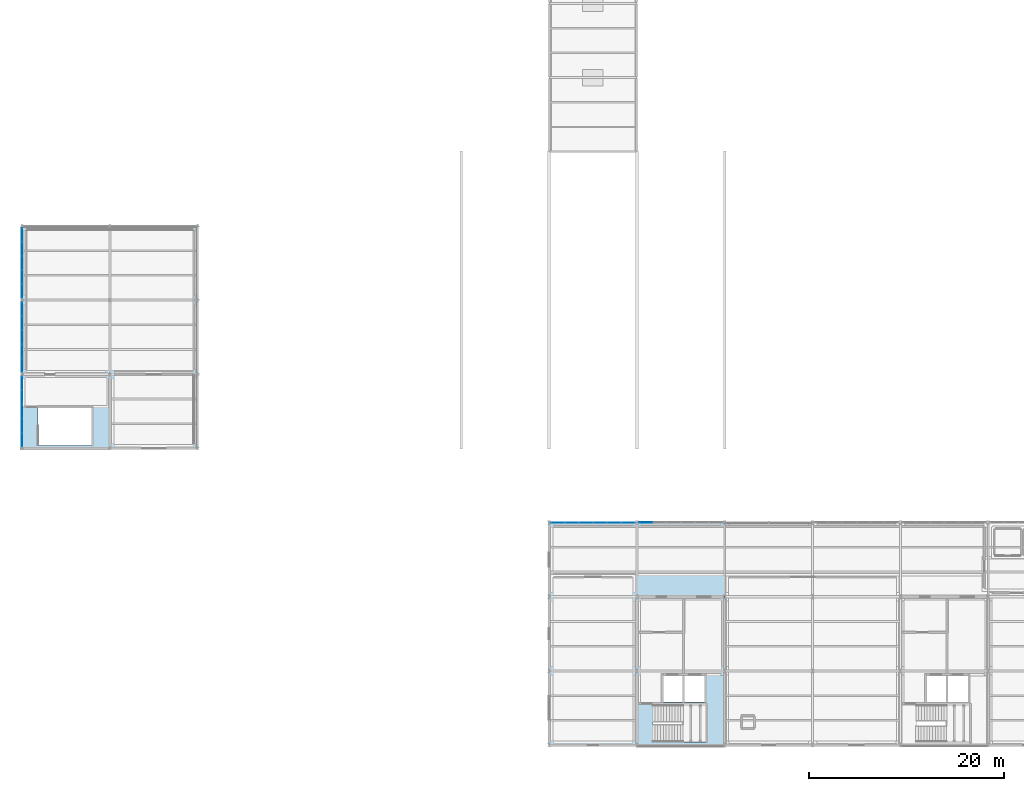
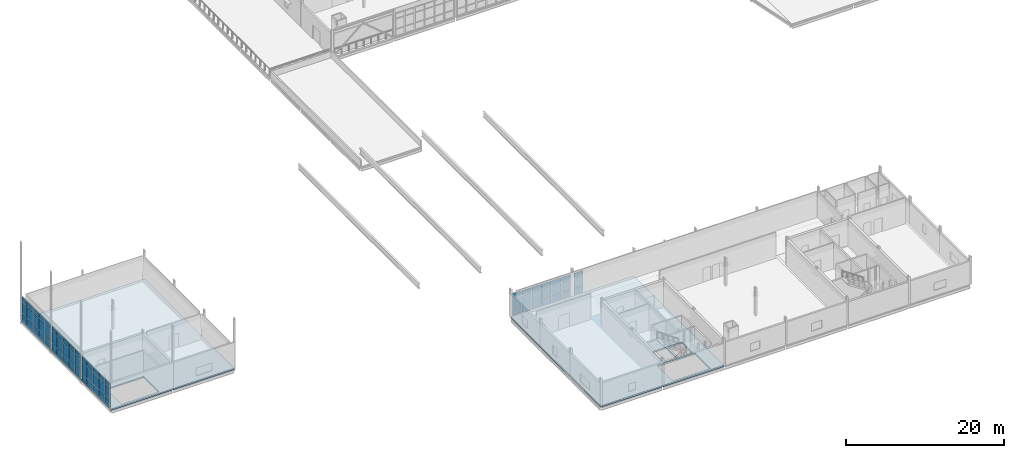
# One storey, part 68 of 96: 66 plates, 2 slabs, 5 elements without a shape of their own.
"""IFC4 building model written with IfcOpenShell, lengths in metres."""

from ifc_helpers import new_model, si_unit, direction, frame, origin, origin_2d, place, context, subcontext, project, spatial, polyline, rectangle, outline, extrude, material, layer, layer_set, type_object, element, aggregate, save


model = new_model("IFC4")

# Units and contexts
model_context = context("Model", 3, precision=1e-05, world=origin(), true_north=direction((0.0, 1.0)))
body_context = subcontext(model_context, "Body", "Model", "MODEL_VIEW")
ifc_project = project(units=[si_unit("LENGTHUNIT", "METRE"), si_unit("AREAUNIT", "SQUARE_METRE"), si_unit("VOLUMEUNIT", "CUBIC_METRE"), si_unit("PLANEANGLEUNIT", "RADIAN"), si_unit("MASSUNIT", "GRAM", prefix="KILO")], contexts=[model_context])

# Site, building, storey
site_placement = place(None, origin())
site = spatial("IfcSite", under=ifc_project, at=site_placement, CompositionType="ELEMENT")
building_placement = place(site_placement, origin())
building = spatial("IfcBuilding", under=site, at=building_placement, Name="Caisbarro Railhouse Central Library", CompositionType="ELEMENT")
storey_placement = place(building_placement, frame((0.0, 0.0, 13.679931640625)))
storey = spatial("IfcBuildingStorey", under=building, at=storey_placement, Name="L03", CompositionType="ELEMENT", Elevation=13.679931640625)

# Curtain wall, plates
ifc_material_1 = material(Name="Anodised architectural aluminium", Category="aluminium")
curtain_wall_type = type_object("IfcCurtainWallType", Name="CW-CW02", PredefinedType="NOTDEFINED", material=ifc_material_1)
curtain_wall_1_placement = place(storey_placement, origin())
curtain_wall_1 = element("IfcCurtainWall", 1, at=curtain_wall_1_placement, inside=storey, type_object=curtain_wall_type, Name="CW02 curtain wall L03 #62", PredefinedType="NOTDEFINED")
ifc_material_2 = material(Name="Double low-e laminated solar-control glass", Category="glass")
ifc_layer_1 = layer(ifc_material_2, 0.01806640625, Name="Double low-e laminated solar-control glass")
ifc_layer_set_1 = layer_set([ifc_layer_1], Name="Double low-e laminated solar-control glass")
plate_type_1 = type_object("IfcPlateType", Name="CWP-CP18", PredefinedType="CURTAIN_PANEL", material=ifc_layer_set_1)
plate_1_placement = place(storey_placement, frame((54.902099609375, 22.800048828125, 0.0751953125), z_axis=(0.0, 0.0, 1.0), x_axis=(1.0, 0.0, 0.0)))
plate_1 = element("IfcPlate", 2, at=plate_1_placement, type_object=plate_type_1, Name="CW02 panel 1.1", PredefinedType="CURTAIN_PANEL", context=body_context, shape_type="SweptSolid", body=[
    extrude(rectangle(XDim=1.334228515625, YDim=0.01806640625, at=origin_2d()), origin(), (0.0, 0.0, 1.0), 1.007568359375),
])
plate_2_placement = place(storey_placement, frame((54.902099609375, 22.800048828125, 1.15771484375), z_axis=(0.0, 0.0, 1.0), x_axis=(1.0, 0.0, 0.0)))
plate_2 = element("IfcPlate", 3, at=plate_2_placement, type_object=plate_type_1, Name="CW02 panel 1.2", PredefinedType="CURTAIN_PANEL", context=body_context, shape_type="SweptSolid", body=[
    extrude(rectangle(XDim=1.334228515625, YDim=0.01806640625, at=origin_2d()), origin(), (0.0, 0.0, 1.0), 1.465087890625),
])
plate_3_placement = place(storey_placement, frame((54.902099609375, 22.800048828125, 2.69775390625), z_axis=(0.0, 0.0, 1.0), x_axis=(1.0, 0.0, 0.0)))
plate_3 = element("IfcPlate", 4, at=plate_3_placement, type_object=plate_type_1, Name="CW02 panel 1.3", PredefinedType="CURTAIN_PANEL", context=body_context, shape_type="SweptSolid", body=[
    extrude(rectangle(XDim=1.334228515625, YDim=0.01806640625, at=origin_2d()), origin(), (0.0, 0.0, 1.0), 0.737548828125),
])
plate_4_placement = place(storey_placement, frame((56.330078125, 22.800048828125, 0.0751953125), z_axis=(0.0, 0.0, 1.0), x_axis=(1.0, 0.0, 0.0)))
plate_4 = element("IfcPlate", 5, at=plate_4_placement, type_object=plate_type_1, Name="CW02 panel 2.1", PredefinedType="CURTAIN_PANEL", context=body_context, shape_type="SweptSolid", body=[
    extrude(rectangle(XDim=1.37158203125, YDim=0.01806640625, at=origin_2d()), origin(), (0.0, 0.0, 1.0), 1.007568359375),
])
plate_5_placement = place(storey_placement, frame((56.330078125, 22.800048828125, 1.15771484375), z_axis=(0.0, 0.0, 1.0), x_axis=(1.0, 0.0, 0.0)))
plate_5 = element("IfcPlate", 6, at=plate_5_placement, type_object=plate_type_1, Name="CW02 panel 2.2", PredefinedType="CURTAIN_PANEL", context=body_context, shape_type="SweptSolid", body=[
    extrude(rectangle(XDim=1.37158203125, YDim=0.01806640625, at=origin_2d()), origin(), (0.0, 0.0, 1.0), 1.465087890625),
])
plate_6_placement = place(storey_placement, frame((56.330078125, 22.800048828125, 2.69775390625), z_axis=(0.0, 0.0, 1.0), x_axis=(1.0, 0.0, 0.0)))
plate_6 = element("IfcPlate", 7, at=plate_6_placement, type_object=plate_type_1, Name="CW02 panel 2.3", PredefinedType="CURTAIN_PANEL", context=body_context, shape_type="SweptSolid", body=[
    extrude(rectangle(XDim=1.37158203125, YDim=0.01806640625, at=origin_2d()), origin(), (0.0, 0.0, 1.0), 0.737548828125),
])
plate_7_placement = place(storey_placement, frame((57.776611328125, 22.800048828125, 0.0751953125), z_axis=(0.0, 0.0, 1.0), x_axis=(1.0, 0.0, 0.0)))
plate_7 = element("IfcPlate", 8, at=plate_7_placement, type_object=plate_type_1, Name="CW02 panel 3.1", PredefinedType="CURTAIN_PANEL", context=body_context, shape_type="SweptSolid", body=[
    extrude(rectangle(XDim=1.37158203125, YDim=0.01806640625, at=origin_2d()), origin(), (0.0, 0.0, 1.0), 1.007568359375),
])
plate_8_placement = place(storey_placement, frame((57.776611328125, 22.800048828125, 1.15771484375), z_axis=(0.0, 0.0, 1.0), x_axis=(1.0, 0.0, 0.0)))
plate_8 = element("IfcPlate", 9, at=plate_8_placement, type_object=plate_type_1, Name="CW02 panel 3.2", PredefinedType="CURTAIN_PANEL", context=body_context, shape_type="SweptSolid", body=[
    extrude(rectangle(XDim=1.37158203125, YDim=0.01806640625, at=origin_2d()), origin(), (0.0, 0.0, 1.0), 1.465087890625),
])
plate_9_placement = place(storey_placement, frame((57.776611328125, 22.800048828125, 2.69775390625), z_axis=(0.0, 0.0, 1.0), x_axis=(1.0, 0.0, 0.0)))
plate_9 = element("IfcPlate", 10, at=plate_9_placement, type_object=plate_type_1, Name="CW02 panel 3.3", PredefinedType="CURTAIN_PANEL", context=body_context, shape_type="SweptSolid", body=[
    extrude(rectangle(XDim=1.37158203125, YDim=0.01806640625, at=origin_2d()), origin(), (0.0, 0.0, 1.0), 0.737548828125),
])
plate_10_placement = place(storey_placement, frame((59.223388671875, 22.800048828125, 0.0751953125), z_axis=(0.0, 0.0, 1.0), x_axis=(1.0, 0.0, 0.0)))
plate_10 = element("IfcPlate", 11, at=plate_10_placement, type_object=plate_type_1, Name="CW02 panel 4.1", PredefinedType="CURTAIN_PANEL", context=body_context, shape_type="SweptSolid", body=[
    extrude(rectangle(XDim=1.37158203125, YDim=0.01806640625, at=origin_2d()), origin(), (0.0, 0.0, 1.0), 1.007568359375),
])
plate_11_placement = place(storey_placement, frame((59.223388671875, 22.800048828125, 1.15771484375), z_axis=(0.0, 0.0, 1.0), x_axis=(1.0, 0.0, 0.0)))
plate_11 = element("IfcPlate", 12, at=plate_11_placement, type_object=plate_type_1, Name="CW02 panel 4.2", PredefinedType="CURTAIN_PANEL", context=body_context, shape_type="SweptSolid", body=[
    extrude(rectangle(XDim=1.37158203125, YDim=0.01806640625, at=origin_2d()), origin(), (0.0, 0.0, 1.0), 1.465087890625),
])
plate_12_placement = place(storey_placement, frame((59.223388671875, 22.800048828125, 2.69775390625), z_axis=(0.0, 0.0, 1.0), x_axis=(1.0, 0.0, 0.0)))
plate_12 = element("IfcPlate", 13, at=plate_12_placement, type_object=plate_type_1, Name="CW02 panel 4.3", PredefinedType="CURTAIN_PANEL", context=body_context, shape_type="SweptSolid", body=[
    extrude(rectangle(XDim=1.37158203125, YDim=0.01806640625, at=origin_2d()), origin(), (0.0, 0.0, 1.0), 0.737548828125),
])
plate_13_placement = place(storey_placement, frame((60.669921875, 22.800048828125, 0.0751953125), z_axis=(0.0, 0.0, 1.0), x_axis=(1.0, 0.0, 0.0)))
plate_13 = element("IfcPlate", 14, at=plate_13_placement, type_object=plate_type_1, Name="CW02 panel 5.1", PredefinedType="CURTAIN_PANEL", context=body_context, shape_type="SweptSolid", body=[
    extrude(rectangle(XDim=1.37158203125, YDim=0.01806640625, at=origin_2d()), origin(), (0.0, 0.0, 1.0), 1.007568359375),
])
plate_14_placement = place(storey_placement, frame((60.669921875, 22.800048828125, 1.15771484375), z_axis=(0.0, 0.0, 1.0), x_axis=(1.0, 0.0, 0.0)))
plate_14 = element("IfcPlate", 15, at=plate_14_placement, type_object=plate_type_1, Name="CW02 panel 5.2", PredefinedType="CURTAIN_PANEL", context=body_context, shape_type="SweptSolid", body=[
    extrude(rectangle(XDim=1.37158203125, YDim=0.01806640625, at=origin_2d()), origin(), (0.0, 0.0, 1.0), 1.465087890625),
])
plate_15_placement = place(storey_placement, frame((60.669921875, 22.800048828125, 2.69775390625), z_axis=(0.0, 0.0, 1.0), x_axis=(1.0, 0.0, 0.0)))
plate_15 = element("IfcPlate", 16, at=plate_15_placement, type_object=plate_type_1, Name="CW02 panel 5.3", PredefinedType="CURTAIN_PANEL", context=body_context, shape_type="SweptSolid", body=[
    extrude(rectangle(XDim=1.37158203125, YDim=0.01806640625, at=origin_2d()), origin(), (0.0, 0.0, 1.0), 0.737548828125),
])
plate_16_placement = place(storey_placement, frame((62.097900390625, 22.800048828125, 0.0751953125), z_axis=(0.0, 0.0, 1.0), x_axis=(1.0, 0.0, 0.0)))
plate_16 = element("IfcPlate", 17, at=plate_16_placement, type_object=plate_type_1, Name="CW02 panel 6.1", PredefinedType="CURTAIN_PANEL", context=body_context, shape_type="SweptSolid", body=[
    extrude(rectangle(XDim=1.334228515625, YDim=0.01806640625, at=origin_2d()), origin(), (0.0, 0.0, 1.0), 1.007568359375),
])
plate_17_placement = place(storey_placement, frame((62.097900390625, 22.800048828125, 1.15771484375), z_axis=(0.0, 0.0, 1.0), x_axis=(1.0, 0.0, 0.0)))
plate_17 = element("IfcPlate", 18, at=plate_17_placement, type_object=plate_type_1, Name="CW02 panel 6.2", PredefinedType="CURTAIN_PANEL", context=body_context, shape_type="SweptSolid", body=[
    extrude(rectangle(XDim=1.334228515625, YDim=0.01806640625, at=origin_2d()), origin(), (0.0, 0.0, 1.0), 1.465087890625),
])
plate_18_placement = place(storey_placement, frame((62.097900390625, 22.800048828125, 2.69775390625), z_axis=(0.0, 0.0, 1.0), x_axis=(1.0, 0.0, 0.0)))
plate_18 = element("IfcPlate", 19, at=plate_18_placement, type_object=plate_type_1, Name="CW02 panel 6.3", PredefinedType="CURTAIN_PANEL", context=body_context, shape_type="SweptSolid", body=[
    extrude(rectangle(XDim=1.334228515625, YDim=0.01806640625, at=origin_2d()), origin(), (0.0, 0.0, 1.0), 0.737548828125),
])
aggregate(curtain_wall_1, [plate_1, plate_2, plate_3, plate_4, plate_5, plate_6, plate_7, plate_8, plate_9, plate_10, plate_11, plate_12, plate_13, plate_14, plate_15, plate_16, plate_17, plate_18])

curtain_wall_2_placement = place(storey_placement, origin())
curtain_wall_2 = element("IfcCurtainWall", 20, at=curtain_wall_2_placement, inside=storey, type_object=curtain_wall_type, Name="CW02 curtain wall L03 #63", PredefinedType="NOTDEFINED")
ifc_layer_2 = layer(ifc_material_2, 0.028076171875, Name="Double low-e laminated solar-control glass")
ifc_layer_set_2 = layer_set([ifc_layer_2], Name="Double low-e laminated solar-control glass")
plate_type_2 = type_object("IfcPlateType", Name="CWP-CP28", PredefinedType="CURTAIN_PANEL", material=ifc_layer_set_2)
plate_19_placement = place(storey_placement, frame((63.899658203125, 22.800048828125, 0.0751953125), z_axis=(0.0, 0.0, 1.0), x_axis=(1.0, 0.0, 0.0)))
plate_19 = element("IfcPlate", 21, at=plate_19_placement, type_object=plate_type_2, Name="CW02 panel 1.1", PredefinedType="CURTAIN_PANEL", context=body_context, shape_type="SweptSolid", body=[
    extrude(rectangle(XDim=1.34912109375, YDim=0.028076171875, at=origin_2d()), origin(), (0.0, 0.0, 1.0), 1.007568359375),
])
plate_20_placement = place(storey_placement, frame((63.899658203125, 22.800048828125, 1.15771484375), z_axis=(0.0, 0.0, 1.0), x_axis=(1.0, 0.0, 0.0)))
plate_20 = element("IfcPlate", 22, at=plate_20_placement, type_object=plate_type_2, Name="CW02 panel 1.2", PredefinedType="CURTAIN_PANEL", context=body_context, shape_type="SweptSolid", body=[
    extrude(rectangle(XDim=1.34912109375, YDim=0.028076171875, at=origin_2d()), origin(), (0.0, 0.0, 1.0), 1.465087890625),
])
plate_21_placement = place(storey_placement, frame((63.899658203125, 22.800048828125, 2.69775390625), z_axis=(0.0, 0.0, 1.0), x_axis=(1.0, 0.0, 0.0)))
plate_21 = element("IfcPlate", 23, at=plate_21_placement, type_object=plate_type_2, Name="CW02 panel 1.3", PredefinedType="CURTAIN_PANEL", context=body_context, shape_type="SweptSolid", body=[
    extrude(rectangle(XDim=1.34912109375, YDim=0.028076171875, at=origin_2d()), origin(), (0.0, 0.0, 1.0), 0.737548828125),
])
aggregate(curtain_wall_2, [plate_19, plate_20, plate_21])

curtain_wall_3_placement = place(storey_placement, origin())
curtain_wall_3 = element("IfcCurtainWall", 24, at=curtain_wall_3_placement, inside=storey, type_object=curtain_wall_type, Name="CW02 curtain wall L03 #48", PredefinedType="NOTDEFINED")
ifc_layer_3 = layer(ifc_material_2, 0.0380859375, Name="Double low-e laminated solar-control glass")
ifc_layer_set_3 = layer_set([ifc_layer_3], Name="Double low-e laminated solar-control glass")
plate_type_3 = type_object("IfcPlateType", Name="CWP-CP38", PredefinedType="CURTAIN_PANEL", material=ifc_layer_set_3)
plate_22_placement = place(storey_placement, frame((0.0, 31.306640625, 0.0751953125), z_axis=(0.0, 0.0, 1.0), x_axis=(0.0, 1.0, 0.0)))
plate_22 = element("IfcPlate", 25, at=plate_22_placement, type_object=plate_type_3, Name="CW02 panel 1.1", PredefinedType="CURTAIN_PANEL", context=body_context, shape_type="SweptSolid", body=[
    extrude(rectangle(XDim=1.343505859375, YDim=0.0380859375, at=origin_2d()), origin(), (0.0, 0.0, 1.0), 1.007568359375),
])
plate_23_placement = place(storey_placement, frame((0.0, 31.306640625, 1.15771484375), z_axis=(0.0, 0.0, 1.0), x_axis=(0.0, 1.0, 0.0)))
plate_23 = element("IfcPlate", 26, at=plate_23_placement, type_object=plate_type_3, Name="CW02 panel 1.2", PredefinedType="CURTAIN_PANEL", context=body_context, shape_type="SweptSolid", body=[
    extrude(rectangle(XDim=1.343505859375, YDim=0.0380859375, at=origin_2d()), origin(), (0.0, 0.0, 1.0), 1.77490234375),
])
plate_24_placement = place(storey_placement, frame((0.0, 31.306640625, 3.00732421875), z_axis=(0.0, 0.0, 1.0), x_axis=(0.0, 1.0, 0.0)))
plate_24 = element("IfcPlate", 27, at=plate_24_placement, type_object=plate_type_3, Name="CW02 panel 1.3", PredefinedType="CURTAIN_PANEL", context=body_context, shape_type="SweptSolid", body=[
    extrude(rectangle(XDim=1.343505859375, YDim=0.0380859375, at=origin_2d()), origin(), (0.0, 0.0, 1.0), 0.737548828125),
])
plate_25_placement = place(storey_placement, frame((0.0, 32.743896484375, 0.0751953125), z_axis=(0.0, 0.0, 1.0), x_axis=(0.0, 1.0, 0.0)))
plate_25 = element("IfcPlate", 28, at=plate_25_placement, type_object=plate_type_3, Name="CW02 panel 2.1", PredefinedType="CURTAIN_PANEL", context=body_context, shape_type="SweptSolid", body=[
    extrude(rectangle(XDim=1.381103515625, YDim=0.0380859375, at=origin_2d()), origin(), (0.0, 0.0, 1.0), 1.007568359375),
])
plate_26_placement = place(storey_placement, frame((0.0, 32.743896484375, 1.15771484375), z_axis=(0.0, 0.0, 1.0), x_axis=(0.0, 1.0, 0.0)))
plate_26 = element("IfcPlate", 29, at=plate_26_placement, type_object=plate_type_3, Name="CW02 panel 2.2", PredefinedType="CURTAIN_PANEL", context=body_context, shape_type="SweptSolid", body=[
    extrude(rectangle(XDim=1.381103515625, YDim=0.0380859375, at=origin_2d()), origin(), (0.0, 0.0, 1.0), 1.77490234375),
])
plate_27_placement = place(storey_placement, frame((0.0, 32.743896484375, 3.00732421875), z_axis=(0.0, 0.0, 1.0), x_axis=(0.0, 1.0, 0.0)))
plate_27 = element("IfcPlate", 30, at=plate_27_placement, type_object=plate_type_3, Name="CW02 panel 2.3", PredefinedType="CURTAIN_PANEL", context=body_context, shape_type="SweptSolid", body=[
    extrude(rectangle(XDim=1.381103515625, YDim=0.0380859375, at=origin_2d()), origin(), (0.0, 0.0, 1.0), 0.737548828125),
])
plate_28_placement = place(storey_placement, frame((0.0, 34.199951171875, 0.0751953125), z_axis=(0.0, 0.0, 1.0), x_axis=(0.0, 1.0, 0.0)))
plate_28 = element("IfcPlate", 31, at=plate_28_placement, type_object=plate_type_3, Name="CW02 panel 3.1", PredefinedType="CURTAIN_PANEL", context=body_context, shape_type="SweptSolid", body=[
    extrude(rectangle(XDim=1.381103515625, YDim=0.0380859375, at=origin_2d()), origin(), (0.0, 0.0, 1.0), 1.007568359375),
])
plate_29_placement = place(storey_placement, frame((0.0, 34.199951171875, 1.15771484375), z_axis=(0.0, 0.0, 1.0), x_axis=(0.0, 1.0, 0.0)))
plate_29 = element("IfcPlate", 32, at=plate_29_placement, type_object=plate_type_3, Name="CW02 panel 3.2", PredefinedType="CURTAIN_PANEL", context=body_context, shape_type="SweptSolid", body=[
    extrude(rectangle(XDim=1.381103515625, YDim=0.0380859375, at=origin_2d()), origin(), (0.0, 0.0, 1.0), 1.77490234375),
])
plate_30_placement = place(storey_placement, frame((0.0, 34.199951171875, 3.00732421875), z_axis=(0.0, 0.0, 1.0), x_axis=(0.0, 1.0, 0.0)))
plate_30 = element("IfcPlate", 33, at=plate_30_placement, type_object=plate_type_3, Name="CW02 panel 3.3", PredefinedType="CURTAIN_PANEL", context=body_context, shape_type="SweptSolid", body=[
    extrude(rectangle(XDim=1.381103515625, YDim=0.0380859375, at=origin_2d()), origin(), (0.0, 0.0, 1.0), 0.737548828125),
])
plate_31_placement = place(storey_placement, frame((0.0, 35.656005859375, 0.0751953125), z_axis=(0.0, 0.0, 1.0), x_axis=(0.0, 1.0, 0.0)))
plate_31 = element("IfcPlate", 34, at=plate_31_placement, type_object=plate_type_3, Name="CW02 panel 4.1", PredefinedType="CURTAIN_PANEL", context=body_context, shape_type="SweptSolid", body=[
    extrude(rectangle(XDim=1.381103515625, YDim=0.0380859375, at=origin_2d()), origin(), (0.0, 0.0, 1.0), 1.007568359375),
])
plate_32_placement = place(storey_placement, frame((0.0, 35.656005859375, 1.15771484375), z_axis=(0.0, 0.0, 1.0), x_axis=(0.0, 1.0, 0.0)))
plate_32 = element("IfcPlate", 35, at=plate_32_placement, type_object=plate_type_3, Name="CW02 panel 4.2", PredefinedType="CURTAIN_PANEL", context=body_context, shape_type="SweptSolid", body=[
    extrude(rectangle(XDim=1.381103515625, YDim=0.0380859375, at=origin_2d()), origin(), (0.0, 0.0, 1.0), 1.77490234375),
])
plate_33_placement = place(storey_placement, frame((0.0, 35.656005859375, 3.00732421875), z_axis=(0.0, 0.0, 1.0), x_axis=(0.0, 1.0, 0.0)))
plate_33 = element("IfcPlate", 36, at=plate_33_placement, type_object=plate_type_3, Name="CW02 panel 4.3", PredefinedType="CURTAIN_PANEL", context=body_context, shape_type="SweptSolid", body=[
    extrude(rectangle(XDim=1.381103515625, YDim=0.0380859375, at=origin_2d()), origin(), (0.0, 0.0, 1.0), 0.737548828125),
])
plate_34_placement = place(storey_placement, frame((0.0, 37.09326171875, 0.0751953125), z_axis=(0.0, 0.0, 1.0), x_axis=(0.0, 1.0, 0.0)))
plate_34 = element("IfcPlate", 37, at=plate_34_placement, type_object=plate_type_3, Name="CW02 panel 5.1", PredefinedType="CURTAIN_PANEL", context=body_context, shape_type="SweptSolid", body=[
    extrude(rectangle(XDim=1.343505859375, YDim=0.0380859375, at=origin_2d()), origin(), (0.0, 0.0, 1.0), 1.007568359375),
])
plate_35_placement = place(storey_placement, frame((0.0, 37.09326171875, 1.15771484375), z_axis=(0.0, 0.0, 1.0), x_axis=(0.0, 1.0, 0.0)))
plate_35 = element("IfcPlate", 38, at=plate_35_placement, type_object=plate_type_3, Name="CW02 panel 5.2", PredefinedType="CURTAIN_PANEL", context=body_context, shape_type="SweptSolid", body=[
    extrude(rectangle(XDim=1.343505859375, YDim=0.0380859375, at=origin_2d()), origin(), (0.0, 0.0, 1.0), 1.77490234375),
])
plate_36_placement = place(storey_placement, frame((0.0, 37.09326171875, 3.00732421875), z_axis=(0.0, 0.0, 1.0), x_axis=(0.0, 1.0, 0.0)))
plate_36 = element("IfcPlate", 39, at=plate_36_placement, type_object=plate_type_3, Name="CW02 panel 5.3", PredefinedType="CURTAIN_PANEL", context=body_context, shape_type="SweptSolid", body=[
    extrude(rectangle(XDim=1.343505859375, YDim=0.0380859375, at=origin_2d()), origin(), (0.0, 0.0, 1.0), 0.737548828125),
])
aggregate(curtain_wall_3, [plate_22, plate_23, plate_24, plate_25, plate_26, plate_27, plate_28, plate_29, plate_30, plate_31, plate_32, plate_33, plate_34, plate_35, plate_36])

curtain_wall_4_placement = place(storey_placement, origin())
curtain_wall_4 = element("IfcCurtainWall", 40, at=curtain_wall_4_placement, inside=storey, type_object=curtain_wall_type, Name="CW02 curtain wall L03 #49", PredefinedType="NOTDEFINED")
plate_37_placement = place(storey_placement, frame((0.0, 38.90673828125, 0.0751953125), z_axis=(0.0, 0.0, 1.0), x_axis=(0.0, 1.0, 0.0)))
plate_37 = element("IfcPlate", 41, at=plate_37_placement, type_object=plate_type_3, Name="CW02 panel 1.1", PredefinedType="CURTAIN_PANEL", context=body_context, shape_type="SweptSolid", body=[
    extrude(rectangle(XDim=1.343505859375, YDim=0.0380859375, at=origin_2d()), origin(), (0.0, 0.0, 1.0), 1.007568359375),
])
plate_38_placement = place(storey_placement, frame((0.0, 38.90673828125, 1.15771484375), z_axis=(0.0, 0.0, 1.0), x_axis=(0.0, 1.0, 0.0)))
plate_38 = element("IfcPlate", 42, at=plate_38_placement, type_object=plate_type_3, Name="CW02 panel 1.2", PredefinedType="CURTAIN_PANEL", context=body_context, shape_type="SweptSolid", body=[
    extrude(rectangle(XDim=1.343505859375, YDim=0.0380859375, at=origin_2d()), origin(), (0.0, 0.0, 1.0), 1.77490234375),
])
plate_39_placement = place(storey_placement, frame((0.0, 38.90673828125, 3.00732421875), z_axis=(0.0, 0.0, 1.0), x_axis=(0.0, 1.0, 0.0)))
plate_39 = element("IfcPlate", 43, at=plate_39_placement, type_object=plate_type_3, Name="CW02 panel 1.3", PredefinedType="CURTAIN_PANEL", context=body_context, shape_type="SweptSolid", body=[
    extrude(rectangle(XDim=1.343505859375, YDim=0.0380859375, at=origin_2d()), origin(), (0.0, 0.0, 1.0), 0.737548828125),
])
plate_40_placement = place(storey_placement, frame((0.0, 40.343994140625, 0.0751953125), z_axis=(0.0, 0.0, 1.0), x_axis=(0.0, 1.0, 0.0)))
plate_40 = element("IfcPlate", 44, at=plate_40_placement, type_object=plate_type_3, Name="CW02 panel 2.1", PredefinedType="CURTAIN_PANEL", context=body_context, shape_type="SweptSolid", body=[
    extrude(rectangle(XDim=1.381103515625, YDim=0.0380859375, at=origin_2d()), origin(), (0.0, 0.0, 1.0), 1.007568359375),
])
plate_41_placement = place(storey_placement, frame((0.0, 40.343994140625, 1.15771484375), z_axis=(0.0, 0.0, 1.0), x_axis=(0.0, 1.0, 0.0)))
plate_41 = element("IfcPlate", 45, at=plate_41_placement, type_object=plate_type_3, Name="CW02 panel 2.2", PredefinedType="CURTAIN_PANEL", context=body_context, shape_type="SweptSolid", body=[
    extrude(rectangle(XDim=1.381103515625, YDim=0.0380859375, at=origin_2d()), origin(), (0.0, 0.0, 1.0), 1.77490234375),
])
plate_42_placement = place(storey_placement, frame((0.0, 40.343994140625, 3.00732421875), z_axis=(0.0, 0.0, 1.0), x_axis=(0.0, 1.0, 0.0)))
plate_42 = element("IfcPlate", 46, at=plate_42_placement, type_object=plate_type_3, Name="CW02 panel 2.3", PredefinedType="CURTAIN_PANEL", context=body_context, shape_type="SweptSolid", body=[
    extrude(rectangle(XDim=1.381103515625, YDim=0.0380859375, at=origin_2d()), origin(), (0.0, 0.0, 1.0), 0.737548828125),
])
plate_43_placement = place(storey_placement, frame((0.0, 41.800048828125, 0.0751953125), z_axis=(0.0, 0.0, 1.0), x_axis=(0.0, 1.0, 0.0)))
plate_43 = element("IfcPlate", 47, at=plate_43_placement, type_object=plate_type_3, Name="CW02 panel 3.1", PredefinedType="CURTAIN_PANEL", context=body_context, shape_type="SweptSolid", body=[
    extrude(rectangle(XDim=1.381103515625, YDim=0.0380859375, at=origin_2d()), origin(), (0.0, 0.0, 1.0), 1.007568359375),
])
plate_44_placement = place(storey_placement, frame((0.0, 41.800048828125, 1.15771484375), z_axis=(0.0, 0.0, 1.0), x_axis=(0.0, 1.0, 0.0)))
plate_44 = element("IfcPlate", 48, at=plate_44_placement, type_object=plate_type_3, Name="CW02 panel 3.2", PredefinedType="CURTAIN_PANEL", context=body_context, shape_type="SweptSolid", body=[
    extrude(rectangle(XDim=1.381103515625, YDim=0.0380859375, at=origin_2d()), origin(), (0.0, 0.0, 1.0), 1.77490234375),
])
plate_45_placement = place(storey_placement, frame((0.0, 41.800048828125, 3.00732421875), z_axis=(0.0, 0.0, 1.0), x_axis=(0.0, 1.0, 0.0)))
plate_45 = element("IfcPlate", 49, at=plate_45_placement, type_object=plate_type_3, Name="CW02 panel 3.3", PredefinedType="CURTAIN_PANEL", context=body_context, shape_type="SweptSolid", body=[
    extrude(rectangle(XDim=1.381103515625, YDim=0.0380859375, at=origin_2d()), origin(), (0.0, 0.0, 1.0), 0.737548828125),
])
plate_46_placement = place(storey_placement, frame((0.0, 43.256103515625, 0.0751953125), z_axis=(0.0, 0.0, 1.0), x_axis=(0.0, 1.0, 0.0)))
plate_46 = element("IfcPlate", 50, at=plate_46_placement, type_object=plate_type_3, Name="CW02 panel 4.1", PredefinedType="CURTAIN_PANEL", context=body_context, shape_type="SweptSolid", body=[
    extrude(rectangle(XDim=1.381103515625, YDim=0.0380859375, at=origin_2d()), origin(), (0.0, 0.0, 1.0), 1.007568359375),
])
plate_47_placement = place(storey_placement, frame((0.0, 43.256103515625, 1.15771484375), z_axis=(0.0, 0.0, 1.0), x_axis=(0.0, 1.0, 0.0)))
plate_47 = element("IfcPlate", 51, at=plate_47_placement, type_object=plate_type_3, Name="CW02 panel 4.2", PredefinedType="CURTAIN_PANEL", context=body_context, shape_type="SweptSolid", body=[
    extrude(rectangle(XDim=1.381103515625, YDim=0.0380859375, at=origin_2d()), origin(), (0.0, 0.0, 1.0), 1.77490234375),
])
plate_48_placement = place(storey_placement, frame((0.0, 43.256103515625, 3.00732421875), z_axis=(0.0, 0.0, 1.0), x_axis=(0.0, 1.0, 0.0)))
plate_48 = element("IfcPlate", 52, at=plate_48_placement, type_object=plate_type_3, Name="CW02 panel 4.3", PredefinedType="CURTAIN_PANEL", context=body_context, shape_type="SweptSolid", body=[
    extrude(rectangle(XDim=1.381103515625, YDim=0.0380859375, at=origin_2d()), origin(), (0.0, 0.0, 1.0), 0.737548828125),
])
plate_49_placement = place(storey_placement, frame((0.0, 44.693359375, 0.0751953125), z_axis=(0.0, 0.0, 1.0), x_axis=(0.0, 1.0, 0.0)))
plate_49 = element("IfcPlate", 53, at=plate_49_placement, type_object=plate_type_3, Name="CW02 panel 5.1", PredefinedType="CURTAIN_PANEL", context=body_context, shape_type="SweptSolid", body=[
    extrude(rectangle(XDim=1.343505859375, YDim=0.0380859375, at=origin_2d()), origin(), (0.0, 0.0, 1.0), 1.007568359375),
])
plate_50_placement = place(storey_placement, frame((0.0, 44.693359375, 1.15771484375), z_axis=(0.0, 0.0, 1.0), x_axis=(0.0, 1.0, 0.0)))
plate_50 = element("IfcPlate", 54, at=plate_50_placement, type_object=plate_type_3, Name="CW02 panel 5.2", PredefinedType="CURTAIN_PANEL", context=body_context, shape_type="SweptSolid", body=[
    extrude(rectangle(XDim=1.343505859375, YDim=0.0380859375, at=origin_2d()), origin(), (0.0, 0.0, 1.0), 1.77490234375),
])
plate_51_placement = place(storey_placement, frame((0.0, 44.693359375, 3.00732421875), z_axis=(0.0, 0.0, 1.0), x_axis=(0.0, 1.0, 0.0)))
plate_51 = element("IfcPlate", 55, at=plate_51_placement, type_object=plate_type_3, Name="CW02 panel 5.3", PredefinedType="CURTAIN_PANEL", context=body_context, shape_type="SweptSolid", body=[
    extrude(rectangle(XDim=1.343505859375, YDim=0.0380859375, at=origin_2d()), origin(), (0.0, 0.0, 1.0), 0.737548828125),
])
aggregate(curtain_wall_4, [plate_37, plate_38, plate_39, plate_40, plate_41, plate_42, plate_43, plate_44, plate_45, plate_46, plate_47, plate_48, plate_49, plate_50, plate_51])

curtain_wall_5_placement = place(storey_placement, origin())
curtain_wall_5 = element("IfcCurtainWall", 56, at=curtain_wall_5_placement, inside=storey, type_object=curtain_wall_type, Name="CW02 curtain wall L03 #50", PredefinedType="NOTDEFINED")
plate_52_placement = place(storey_placement, frame((0.0, 46.5068359375, 0.0751953125), z_axis=(0.0, 0.0, 1.0), x_axis=(0.0, 1.0, 0.0)))
plate_52 = element("IfcPlate", 57, at=plate_52_placement, type_object=plate_type_3, Name="CW02 panel 1.1", PredefinedType="CURTAIN_PANEL", context=body_context, shape_type="SweptSolid", body=[
    extrude(rectangle(XDim=1.343505859375, YDim=0.0380859375, at=origin_2d()), origin(), (0.0, 0.0, 1.0), 1.007568359375),
])
plate_53_placement = place(storey_placement, frame((0.0, 46.5068359375, 1.15771484375), z_axis=(0.0, 0.0, 1.0), x_axis=(0.0, 1.0, 0.0)))
plate_53 = element("IfcPlate", 58, at=plate_53_placement, type_object=plate_type_3, Name="CW02 panel 1.2", PredefinedType="CURTAIN_PANEL", context=body_context, shape_type="SweptSolid", body=[
    extrude(rectangle(XDim=1.343505859375, YDim=0.0380859375, at=origin_2d()), origin(), (0.0, 0.0, 1.0), 1.77490234375),
])
plate_54_placement = place(storey_placement, frame((0.0, 46.5068359375, 3.00732421875), z_axis=(0.0, 0.0, 1.0), x_axis=(0.0, 1.0, 0.0)))
plate_54 = element("IfcPlate", 59, at=plate_54_placement, type_object=plate_type_3, Name="CW02 panel 1.3", PredefinedType="CURTAIN_PANEL", context=body_context, shape_type="SweptSolid", body=[
    extrude(rectangle(XDim=1.343505859375, YDim=0.0380859375, at=origin_2d()), origin(), (0.0, 0.0, 1.0), 0.737548828125),
])
plate_55_placement = place(storey_placement, frame((0.0, 47.944091796875, 0.0751953125), z_axis=(0.0, 0.0, 1.0), x_axis=(0.0, 1.0, 0.0)))
plate_55 = element("IfcPlate", 60, at=plate_55_placement, type_object=plate_type_3, Name="CW02 panel 2.1", PredefinedType="CURTAIN_PANEL", context=body_context, shape_type="SweptSolid", body=[
    extrude(rectangle(XDim=1.381103515625, YDim=0.0380859375, at=origin_2d()), origin(), (0.0, 0.0, 1.0), 1.007568359375),
])
plate_56_placement = place(storey_placement, frame((0.0, 47.944091796875, 1.15771484375), z_axis=(0.0, 0.0, 1.0), x_axis=(0.0, 1.0, 0.0)))
plate_56 = element("IfcPlate", 61, at=plate_56_placement, type_object=plate_type_3, Name="CW02 panel 2.2", PredefinedType="CURTAIN_PANEL", context=body_context, shape_type="SweptSolid", body=[
    extrude(rectangle(XDim=1.381103515625, YDim=0.0380859375, at=origin_2d()), origin(), (0.0, 0.0, 1.0), 1.77490234375),
])
plate_57_placement = place(storey_placement, frame((0.0, 47.944091796875, 3.00732421875), z_axis=(0.0, 0.0, 1.0), x_axis=(0.0, 1.0, 0.0)))
plate_57 = element("IfcPlate", 62, at=plate_57_placement, type_object=plate_type_3, Name="CW02 panel 2.3", PredefinedType="CURTAIN_PANEL", context=body_context, shape_type="SweptSolid", body=[
    extrude(rectangle(XDim=1.381103515625, YDim=0.0380859375, at=origin_2d()), origin(), (0.0, 0.0, 1.0), 0.737548828125),
])
plate_58_placement = place(storey_placement, frame((0.0, 49.39990234375, 0.0751953125), z_axis=(0.0, 0.0, 1.0), x_axis=(0.0, 1.0, 0.0)))
plate_58 = element("IfcPlate", 63, at=plate_58_placement, type_object=plate_type_3, Name="CW02 panel 3.1", PredefinedType="CURTAIN_PANEL", context=body_context, shape_type="SweptSolid", body=[
    extrude(rectangle(XDim=1.381103515625, YDim=0.0380859375, at=origin_2d()), origin(), (0.0, 0.0, 1.0), 1.007568359375),
])
plate_59_placement = place(storey_placement, frame((0.0, 49.39990234375, 1.15771484375), z_axis=(0.0, 0.0, 1.0), x_axis=(0.0, 1.0, 0.0)))
plate_59 = element("IfcPlate", 64, at=plate_59_placement, type_object=plate_type_3, Name="CW02 panel 3.2", PredefinedType="CURTAIN_PANEL", context=body_context, shape_type="SweptSolid", body=[
    extrude(rectangle(XDim=1.381103515625, YDim=0.0380859375, at=origin_2d()), origin(), (0.0, 0.0, 1.0), 1.77490234375),
])
plate_60_placement = place(storey_placement, frame((0.0, 49.39990234375, 3.00732421875), z_axis=(0.0, 0.0, 1.0), x_axis=(0.0, 1.0, 0.0)))
plate_60 = element("IfcPlate", 65, at=plate_60_placement, type_object=plate_type_3, Name="CW02 panel 3.3", PredefinedType="CURTAIN_PANEL", context=body_context, shape_type="SweptSolid", body=[
    extrude(rectangle(XDim=1.381103515625, YDim=0.0380859375, at=origin_2d()), origin(), (0.0, 0.0, 1.0), 0.737548828125),
])
plate_61_placement = place(storey_placement, frame((0.0, 50.85595703125, 0.0751953125), z_axis=(0.0, 0.0, 1.0), x_axis=(0.0, 1.0, 0.0)))
plate_61 = element("IfcPlate", 66, at=plate_61_placement, type_object=plate_type_3, Name="CW02 panel 4.1", PredefinedType="CURTAIN_PANEL", context=body_context, shape_type="SweptSolid", body=[
    extrude(rectangle(XDim=1.381103515625, YDim=0.0380859375, at=origin_2d()), origin(), (0.0, 0.0, 1.0), 1.007568359375),
])
plate_62_placement = place(storey_placement, frame((0.0, 50.85595703125, 1.15771484375), z_axis=(0.0, 0.0, 1.0), x_axis=(0.0, 1.0, 0.0)))
plate_62 = element("IfcPlate", 67, at=plate_62_placement, type_object=plate_type_3, Name="CW02 panel 4.2", PredefinedType="CURTAIN_PANEL", context=body_context, shape_type="SweptSolid", body=[
    extrude(rectangle(XDim=1.381103515625, YDim=0.0380859375, at=origin_2d()), origin(), (0.0, 0.0, 1.0), 1.77490234375),
])
plate_63_placement = place(storey_placement, frame((0.0, 50.85595703125, 3.00732421875), z_axis=(0.0, 0.0, 1.0), x_axis=(0.0, 1.0, 0.0)))
plate_63 = element("IfcPlate", 68, at=plate_63_placement, type_object=plate_type_3, Name="CW02 panel 4.3", PredefinedType="CURTAIN_PANEL", context=body_context, shape_type="SweptSolid", body=[
    extrude(rectangle(XDim=1.381103515625, YDim=0.0380859375, at=origin_2d()), origin(), (0.0, 0.0, 1.0), 0.737548828125),
])
plate_64_placement = place(storey_placement, frame((0.0, 52.293212890625, 0.0751953125), z_axis=(0.0, 0.0, 1.0), x_axis=(0.0, 1.0, 0.0)))
plate_64 = element("IfcPlate", 69, at=plate_64_placement, type_object=plate_type_3, Name="CW02 panel 5.1", PredefinedType="CURTAIN_PANEL", context=body_context, shape_type="SweptSolid", body=[
    extrude(rectangle(XDim=1.343505859375, YDim=0.0380859375, at=origin_2d()), origin(), (0.0, 0.0, 1.0), 1.007568359375),
])
plate_65_placement = place(storey_placement, frame((0.0, 52.293212890625, 1.15771484375), z_axis=(0.0, 0.0, 1.0), x_axis=(0.0, 1.0, 0.0)))
plate_65 = element("IfcPlate", 70, at=plate_65_placement, type_object=plate_type_3, Name="CW02 panel 5.2", PredefinedType="CURTAIN_PANEL", context=body_context, shape_type="SweptSolid", body=[
    extrude(rectangle(XDim=1.343505859375, YDim=0.0380859375, at=origin_2d()), origin(), (0.0, 0.0, 1.0), 1.77490234375),
])
plate_66_placement = place(storey_placement, frame((0.0, 52.293212890625, 3.00732421875), z_axis=(0.0, 0.0, 1.0), x_axis=(0.0, 1.0, 0.0)))
plate_66 = element("IfcPlate", 71, at=plate_66_placement, type_object=plate_type_3, Name="CW02 panel 5.3", PredefinedType="CURTAIN_PANEL", context=body_context, shape_type="SweptSolid", body=[
    extrude(rectangle(XDim=1.343505859375, YDim=0.0380859375, at=origin_2d()), origin(), (0.0, 0.0, 1.0), 0.737548828125),
])
aggregate(curtain_wall_5, [plate_52, plate_53, plate_54, plate_55, plate_56, plate_57, plate_58, plate_59, plate_60, plate_61, plate_62, plate_63, plate_64, plate_65, plate_66])

# Slabs
ifc_material_3 = material(Name="Concrete C35", Category="concrete")
ifc_layer_4 = layer(ifc_material_3, 0.219970703125, Name="Concrete C35")
ifc_layer_set_4 = layer_set([ifc_layer_4], Name="Concrete C35")
slab_type_1 = type_object("IfcSlabType", Name="SLB-FL22", PredefinedType="FLOOR", material=ifc_layer_set_4)
slab_1_placement = place(storey_placement, frame((0.0, 0.0, -0.219970703125)))
element("IfcSlab", 72, at=slab_1_placement, inside=storey, type_object=slab_type_1, Name="SF22 structural slab L03 V1.1", PredefinedType="FLOOR", context=body_context, shape_type="SweptSolid", body=[
    extrude(outline(polyline([(0.0, 30.39990234375), (18.0, 30.39990234375), (18.0, 53.199951171875), (0.0, 53.199951171875), (0.0, 30.39990234375)]), holes=[polyline([(1.64990234375, 30.699951171875), (7.14990234375, 30.699951171875), (7.14990234375, 34.550048828125), (1.64990234375, 34.550048828125), (1.64990234375, 30.699951171875)])]), origin(), (0.0, 0.0, 1.0), 0.219970703125),
])
ifc_layer_5 = layer(ifc_material_3, 0.239990234375, Name="Concrete C35")
ifc_layer_set_5 = layer_set([ifc_layer_5], Name="Concrete C35")
slab_type_2 = type_object("IfcSlabType", Name="SLB-FL24", PredefinedType="FLOOR", material=ifc_layer_set_5)
slab_2_placement = place(storey_placement, frame((0.0, 0.0, -0.239990234375)))
element("IfcSlab", 73, at=slab_2_placement, inside=storey, type_object=slab_type_2, Name="SF24 structural slab L03 V5.1", PredefinedType="FLOOR", context=body_context, shape_type="SweptSolid", body=[
    extrude(outline(polyline([(54.0, 0.0), (72.0, 0.0), (72.0, 22.800048828125), (54.0, 22.800048828125), (54.0, 0.0)]), holes=[polyline([(64.64990234375, 0.300048828125), (70.14990234375, 0.300048828125), (70.14990234375, 4.14990234375), (64.64990234375, 4.14990234375), (64.64990234375, 0.300048828125)]), polyline([(65.699951171875, 4.39990234375), (67.64990234375, 4.39990234375), (67.64990234375, 7.10009765625), (65.699951171875, 7.10009765625), (65.699951171875, 4.39990234375)]), polyline([(67.89990234375, 4.39990234375), (69.949951171875, 4.39990234375), (69.949951171875, 7.10009765625), (67.89990234375, 7.10009765625), (67.89990234375, 4.39990234375)])]), origin(), (0.0, 0.0, 1.0), 0.239990234375),
])

save(model, "model.ifc")
